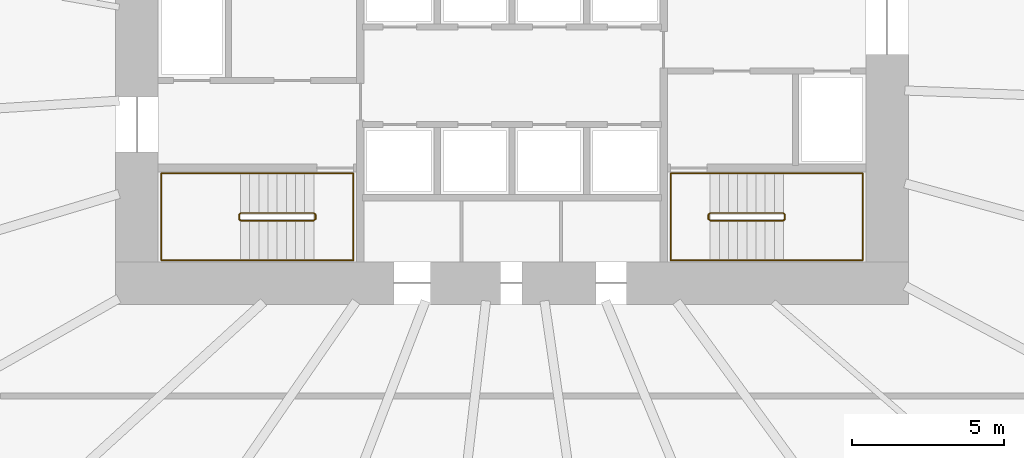
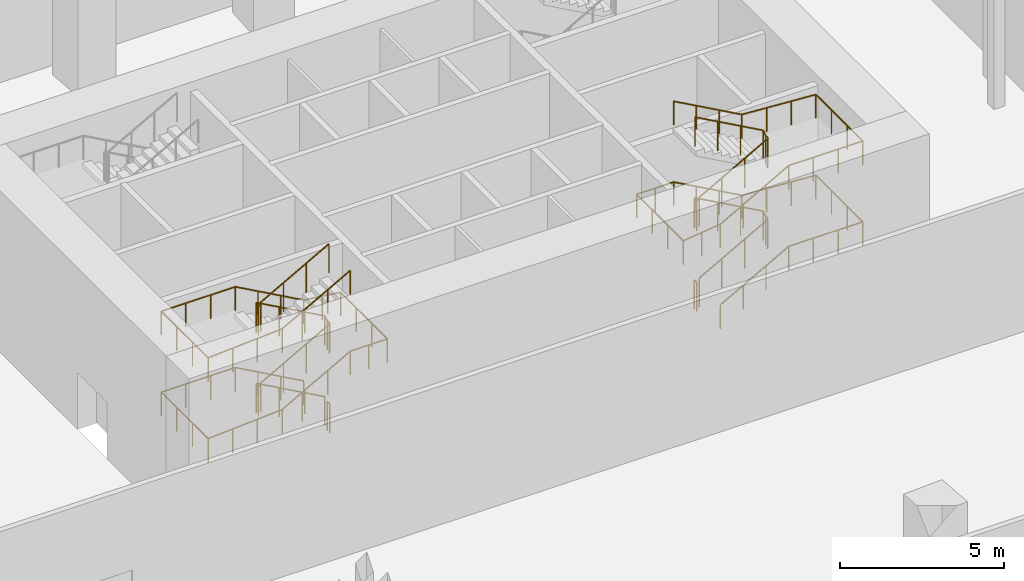
# One storey, part 14 of 19: 6 railings.
"""IFC4 building model written with IfcOpenShell, lengths in metres."""

from ifc_helpers import new_model, si_unit, direction, frame, origin, origin_2d, place, context, subcontext, project, spatial, circle, extrude, material, type_object, element, save


model = new_model("IFC4")

# Units and contexts
model_context = context("Model", 3, precision=1e-05, world=origin(), true_north=direction((0.0, 1.0)))
body_context = subcontext(model_context, "Body", "Model", "MODEL_VIEW")
ifc_project = project(units=[si_unit("LENGTHUNIT", "METRE"), si_unit("AREAUNIT", "SQUARE_METRE"), si_unit("VOLUMEUNIT", "CUBIC_METRE"), si_unit("PLANEANGLEUNIT", "RADIAN"), si_unit("MASSUNIT", "GRAM", prefix="KILO")], contexts=[model_context])

# Site, building, storey
site_placement = place(None, origin())
site = spatial("IfcSite", under=ifc_project, at=site_placement, CompositionType="ELEMENT")
building_placement = place(site_placement, origin())
building = spatial("IfcBuilding", under=site, at=building_placement, Name="Rubra Terraces Tower", CompositionType="ELEMENT")
storey_placement = place(building_placement, frame((0.0, 0.0, -6.0)))
storey = spatial("IfcBuildingStorey", under=building, at=storey_placement, Name="B1", CompositionType="ELEMENT", Elevation=-6.0)

# Railings
ifc_material = material(Name="Stainless steel", Category="steel")
railing_type_1 = type_object("IfcRailingType", Name="Core stair guard 1100", PredefinedType="GUARDRAIL", material=ifc_material)
railing_1_placement = place(storey_placement, frame((-6.5, 0.0, 0.166748046875)))
element("IfcRailing", 1, at=railing_1_placement, inside=storey, type_object=railing_type_1, Name="B1 stair S1 guard 1", PredefinedType="GUARDRAIL", context=body_context, shape_type="SweptSolid", body=[
    extrude(circle(Radius=0.02392578125, at=origin_2d()), frame((0.0, 0.0, 1.076171875), z_axis=(-0.874161470802, 0.0, 0.485635380677), x_axis=(0.0, -1.0, 0.0)), (0.0, 0.0, 1.0), 2.745361328125),
    extrude(circle(Radius=0.02392578125, at=origin_2d()), frame((-2.39990234375, 0.0, 2.4091796875), z_axis=(-0.707106781187, -0.707106781187, 0.0), x_axis=(0.707106781187, -0.707106781187, 0.0)), (0.0, 0.0, 1.0), 0.07080078125),
    extrude(circle(Radius=0.02392578125, at=origin_2d()), frame((-2.449951171875, -0.050048828125, 2.4091796875), z_axis=(0.0, -1.0, 0.0), x_axis=(1.0, 0.0, 0.0)), (0.0, 0.0, 1.0), 0.14990234375),
    extrude(circle(Radius=0.02392578125, at=origin_2d()), frame((-2.449951171875, -0.199951171875, 2.4091796875), z_axis=(0.27628659633, -0.27628659633, 0.920506074601), x_axis=(0.707106781187, 0.707106781187, 0.0)), (0.0, 0.0, 1.0), 0.18115234375),
    extrude(circle(Radius=0.02392578125, at=origin_2d()), frame((-2.39990234375, -0.25, 2.576171875), z_axis=(0.874161470802, 0.0, 0.485635380677), x_axis=(0.0, 1.0, 0.0)), (0.0, 0.0, 1.0), 2.745361328125),
    extrude(circle(Radius=0.02392578125, at=origin_2d()), frame((0.0, -0.25, 3.9091796875), z_axis=(0.707106781187, 0.707106781187, 0.0), x_axis=(-0.707106781187, 0.707106781187, 0.0)), (0.0, 0.0, 1.0), 0.07080078125),
    extrude(circle(Radius=0.02392578125, at=origin_2d()), frame((0.050048828125, -0.199951171875, 3.9091796875), z_axis=(0.0, 1.0, 0.0), x_axis=(-1.0, 0.0, 0.0)), (0.0, 0.0, 1.0), 0.14990234375),
    extrude(circle(Radius=0.02392578125, at=origin_2d()), frame((0.050048828125, -0.050048828125, 3.9091796875), z_axis=(-0.27628659633, 0.27628659633, 0.920506074601), x_axis=(-0.707106781187, -0.707106781187, 0.0)), (0.0, 0.0, 1.0), 0.18115234375),
    extrude(circle(Radius=0.02392578125, at=origin_2d()), frame((0.0, 0.0, 4.076171875), z_axis=(-0.874161470802, 0.0, 0.485635380677), x_axis=(0.0, -1.0, 0.0)), (0.0, 0.0, 1.0), 2.745361328125),
    extrude(circle(Radius=0.02392578125, at=origin_2d()), frame((-2.39990234375, 0.0, 5.4091796875), z_axis=(-0.707106781187, -0.707106781187, 0.0), x_axis=(0.707106781187, -0.707106781187, 0.0)), (0.0, 0.0, 1.0), 0.07080078125),
    extrude(circle(Radius=0.02392578125, at=origin_2d()), frame((-2.449951171875, -0.050048828125, 5.4091796875), z_axis=(0.0, -1.0, 0.0), x_axis=(1.0, 0.0, 0.0)), (0.0, 0.0, 1.0), 0.14990234375),
    extrude(circle(Radius=0.02392578125, at=origin_2d()), frame((-2.449951171875, -0.199951171875, 5.4091796875), z_axis=(0.27628659633, -0.27628659633, 0.920506074601), x_axis=(0.707106781187, 0.707106781187, 0.0)), (0.0, 0.0, 1.0), 0.18115234375),
    extrude(circle(Radius=0.02392578125, at=origin_2d()), frame((-2.39990234375, -0.25, 5.576171875), z_axis=(0.874161470802, 0.0, 0.485635380677), x_axis=(0.0, 1.0, 0.0)), (0.0, 0.0, 1.0), 2.745361328125),
    extrude(circle(Radius=0.02099609375, at=origin_2d()), origin(), (0.0, 0.0, 1.0), 1.052001953125),
    extrude(circle(Radius=0.02099609375, at=origin_2d()), frame((-0.800048828125, 0.0, 0.4443359375)), (0.0, 0.0, 1.0), 1.052001953125),
    extrude(circle(Radius=0.02099609375, at=origin_2d()), frame((-1.599853515625, 0.0, 0.888916015625)), (0.0, 0.0, 1.0), 1.052001953125),
    extrude(circle(Radius=0.02099609375, at=origin_2d()), frame((-2.39990234375, 0.0, 1.333251953125)), (0.0, 0.0, 1.0), 1.052001953125),
    extrude(circle(Radius=0.02099609375, at=origin_2d()), frame((-2.449951171875, -0.050048828125, 1.333251953125)), (0.0, 0.0, 1.0), 1.052001953125),
    extrude(circle(Radius=0.02099609375, at=origin_2d()), frame((-2.449951171875, -0.199951171875, 1.333251953125)), (0.0, 0.0, 1.0), 1.052001953125),
    extrude(circle(Radius=0.02099609375, at=origin_2d()), frame((-2.39990234375, -0.25, 1.5)), (0.0, 0.0, 1.0), 1.052001953125),
    extrude(circle(Radius=0.02099609375, at=origin_2d()), frame((-1.599853515625, -0.25, 1.9443359375)), (0.0, 0.0, 1.0), 1.052001953125),
    extrude(circle(Radius=0.02099609375, at=origin_2d()), frame((-0.800048828125, -0.25, 2.388916015625)), (0.0, 0.0, 1.0), 1.052001953125),
    extrude(circle(Radius=0.02099609375, at=origin_2d()), frame((0.0, -0.25, 2.833251953125)), (0.0, 0.0, 1.0), 1.052001953125),
    extrude(circle(Radius=0.02099609375, at=origin_2d()), frame((0.050048828125, -0.199951171875, 2.833251953125)), (0.0, 0.0, 1.0), 1.052001953125),
    extrude(circle(Radius=0.02099609375, at=origin_2d()), frame((0.050048828125, -0.050048828125, 2.833251953125)), (0.0, 0.0, 1.0), 1.052001953125),
    extrude(circle(Radius=0.02099609375, at=origin_2d()), frame((0.0, 0.0, 3.0)), (0.0, 0.0, 1.0), 1.052001953125),
    extrude(circle(Radius=0.02099609375, at=origin_2d()), frame((-0.800048828125, 0.0, 3.4443359375)), (0.0, 0.0, 1.0), 1.052001953125),
    extrude(circle(Radius=0.02099609375, at=origin_2d()), frame((-1.599853515625, 0.0, 3.888916015625)), (0.0, 0.0, 1.0), 1.052001953125),
    extrude(circle(Radius=0.02099609375, at=origin_2d()), frame((-2.39990234375, 0.0, 4.333251953125)), (0.0, 0.0, 1.0), 1.052001953125),
    extrude(circle(Radius=0.02099609375, at=origin_2d()), frame((-2.449951171875, -0.050048828125, 4.333251953125)), (0.0, 0.0, 1.0), 1.052001953125),
    extrude(circle(Radius=0.02099609375, at=origin_2d()), frame((-2.449951171875, -0.199951171875, 4.333251953125)), (0.0, 0.0, 1.0), 1.052001953125),
    extrude(circle(Radius=0.02099609375, at=origin_2d()), frame((-2.39990234375, -0.25, 4.5)), (0.0, 0.0, 1.0), 1.052001953125),
    extrude(circle(Radius=0.02099609375, at=origin_2d()), frame((-1.599853515625, -0.25, 4.9443359375)), (0.0, 0.0, 1.0), 1.052001953125),
    extrude(circle(Radius=0.02099609375, at=origin_2d()), frame((-0.800048828125, -0.25, 5.388916015625)), (0.0, 0.0, 1.0), 1.052001953125),
    extrude(circle(Radius=0.02099609375, at=origin_2d()), frame((0.0, -0.25, 5.833251953125)), (0.0, 0.0, 1.0), 1.052001953125),
])
railing_2_placement = place(storey_placement, frame((-6.449951171875, -0.050048828125, 0.0)))
element("IfcRailing", 2, at=railing_2_placement, inside=storey, type_object=railing_type_1, Name="B1 stair S1 guard 2", PredefinedType="GUARDRAIL", context=body_context, shape_type="SweptSolid", body=[
    extrude(circle(Radius=0.02392578125, at=origin_2d()), frame((0.0, 0.0, 1.076171875), z_axis=(0.0, -1.0, 0.0), x_axis=(1.0, 0.0, 0.0)), (0.0, 0.0, 1.0), 0.14990234375),
    extrude(circle(Radius=0.02099609375, at=origin_2d()), origin(), (0.0, 0.0, 1.0), 1.052001953125),
    extrude(circle(Radius=0.02099609375, at=origin_2d()), frame((0.0, -0.14990234375, 0.0)), (0.0, 0.0, 1.0), 1.052001953125),
])
railing_3_placement = place(storey_placement, frame((6.5, -0.25, 0.166748046875)))
element("IfcRailing", 3, at=railing_3_placement, inside=storey, type_object=railing_type_1, Name="B1 stair S4 guard 1", PredefinedType="GUARDRAIL", context=body_context, shape_type="SweptSolid", body=[
    extrude(circle(Radius=0.02392578125, at=origin_2d()), frame((0.0, 0.0, 1.076171875), z_axis=(0.874161470802, 0.0, 0.485635380677), x_axis=(0.0, 1.0, 0.0)), (0.0, 0.0, 1.0), 2.745361328125),
    extrude(circle(Radius=0.02392578125, at=origin_2d()), frame((2.39990234375, 0.0, 2.4091796875), z_axis=(0.707106781187, 0.707106781187, 0.0), x_axis=(-0.707106781187, 0.707106781187, 0.0)), (0.0, 0.0, 1.0), 0.07080078125),
    extrude(circle(Radius=0.02392578125, at=origin_2d()), frame((2.449951171875, 0.050048828125, 2.4091796875), z_axis=(0.0, 1.0, 0.0), x_axis=(-1.0, 0.0, 0.0)), (0.0, 0.0, 1.0), 0.14990234375),
    extrude(circle(Radius=0.02392578125, at=origin_2d()), frame((2.449951171875, 0.199951171875, 2.4091796875), z_axis=(-0.27628659633, 0.27628659633, 0.920506074601), x_axis=(-0.707106781187, -0.707106781187, 0.0)), (0.0, 0.0, 1.0), 0.18115234375),
    extrude(circle(Radius=0.02392578125, at=origin_2d()), frame((2.39990234375, 0.25, 2.576171875), z_axis=(-0.874161470802, 0.0, 0.485635380677), x_axis=(0.0, -1.0, 0.0)), (0.0, 0.0, 1.0), 2.745361328125),
    extrude(circle(Radius=0.02392578125, at=origin_2d()), frame((0.0, 0.25, 3.9091796875), z_axis=(-0.707106781187, -0.707106781187, 0.0), x_axis=(0.707106781187, -0.707106781187, 0.0)), (0.0, 0.0, 1.0), 0.07080078125),
    extrude(circle(Radius=0.02392578125, at=origin_2d()), frame((-0.050048828125, 0.199951171875, 3.9091796875), z_axis=(0.0, -1.0, 0.0), x_axis=(1.0, 0.0, 0.0)), (0.0, 0.0, 1.0), 0.14990234375),
    extrude(circle(Radius=0.02392578125, at=origin_2d()), frame((-0.050048828125, 0.050048828125, 3.9091796875), z_axis=(0.27628659633, -0.27628659633, 0.920506074601), x_axis=(0.707106781187, 0.707106781187, 0.0)), (0.0, 0.0, 1.0), 0.18115234375),
    extrude(circle(Radius=0.02392578125, at=origin_2d()), frame((0.0, 0.0, 4.076171875), z_axis=(0.874161470802, 0.0, 0.485635380677), x_axis=(0.0, 1.0, 0.0)), (0.0, 0.0, 1.0), 2.745361328125),
    extrude(circle(Radius=0.02392578125, at=origin_2d()), frame((2.39990234375, 0.0, 5.4091796875), z_axis=(0.707106781187, 0.707106781187, 0.0), x_axis=(-0.707106781187, 0.707106781187, 0.0)), (0.0, 0.0, 1.0), 0.07080078125),
    extrude(circle(Radius=0.02392578125, at=origin_2d()), frame((2.449951171875, 0.050048828125, 5.4091796875), z_axis=(0.0, 1.0, 0.0), x_axis=(-1.0, 0.0, 0.0)), (0.0, 0.0, 1.0), 0.14990234375),
    extrude(circle(Radius=0.02392578125, at=origin_2d()), frame((2.449951171875, 0.199951171875, 5.4091796875), z_axis=(-0.27628659633, 0.27628659633, 0.920506074601), x_axis=(-0.707106781187, -0.707106781187, 0.0)), (0.0, 0.0, 1.0), 0.18115234375),
    extrude(circle(Radius=0.02392578125, at=origin_2d()), frame((2.39990234375, 0.25, 5.576171875), z_axis=(-0.874161470802, 0.0, 0.485635380677), x_axis=(0.0, -1.0, 0.0)), (0.0, 0.0, 1.0), 2.745361328125),
    extrude(circle(Radius=0.02099609375, at=origin_2d()), origin(), (0.0, 0.0, 1.0), 1.052001953125),
    extrude(circle(Radius=0.02099609375, at=origin_2d()), frame((0.800048828125, 0.0, 0.4443359375)), (0.0, 0.0, 1.0), 1.052001953125),
    extrude(circle(Radius=0.02099609375, at=origin_2d()), frame((1.599853515625, 0.0, 0.888916015625)), (0.0, 0.0, 1.0), 1.052001953125),
    extrude(circle(Radius=0.02099609375, at=origin_2d()), frame((2.39990234375, 0.0, 1.333251953125)), (0.0, 0.0, 1.0), 1.052001953125),
    extrude(circle(Radius=0.02099609375, at=origin_2d()), frame((2.449951171875, 0.050048828125, 1.333251953125)), (0.0, 0.0, 1.0), 1.052001953125),
    extrude(circle(Radius=0.02099609375, at=origin_2d()), frame((2.449951171875, 0.199951171875, 1.333251953125)), (0.0, 0.0, 1.0), 1.052001953125),
    extrude(circle(Radius=0.02099609375, at=origin_2d()), frame((2.39990234375, 0.25, 1.5)), (0.0, 0.0, 1.0), 1.052001953125),
    extrude(circle(Radius=0.02099609375, at=origin_2d()), frame((1.599853515625, 0.25, 1.9443359375)), (0.0, 0.0, 1.0), 1.052001953125),
    extrude(circle(Radius=0.02099609375, at=origin_2d()), frame((0.800048828125, 0.25, 2.388916015625)), (0.0, 0.0, 1.0), 1.052001953125),
    extrude(circle(Radius=0.02099609375, at=origin_2d()), frame((0.0, 0.25, 2.833251953125)), (0.0, 0.0, 1.0), 1.052001953125),
    extrude(circle(Radius=0.02099609375, at=origin_2d()), frame((-0.050048828125, 0.199951171875, 2.833251953125)), (0.0, 0.0, 1.0), 1.052001953125),
    extrude(circle(Radius=0.02099609375, at=origin_2d()), frame((-0.050048828125, 0.050048828125, 2.833251953125)), (0.0, 0.0, 1.0), 1.052001953125),
    extrude(circle(Radius=0.02099609375, at=origin_2d()), frame((0.0, 0.0, 3.0)), (0.0, 0.0, 1.0), 1.052001953125),
    extrude(circle(Radius=0.02099609375, at=origin_2d()), frame((0.800048828125, 0.0, 3.4443359375)), (0.0, 0.0, 1.0), 1.052001953125),
    extrude(circle(Radius=0.02099609375, at=origin_2d()), frame((1.599853515625, 0.0, 3.888916015625)), (0.0, 0.0, 1.0), 1.052001953125),
    extrude(circle(Radius=0.02099609375, at=origin_2d()), frame((2.39990234375, 0.0, 4.333251953125)), (0.0, 0.0, 1.0), 1.052001953125),
    extrude(circle(Radius=0.02099609375, at=origin_2d()), frame((2.449951171875, 0.050048828125, 4.333251953125)), (0.0, 0.0, 1.0), 1.052001953125),
    extrude(circle(Radius=0.02099609375, at=origin_2d()), frame((2.449951171875, 0.199951171875, 4.333251953125)), (0.0, 0.0, 1.0), 1.052001953125),
    extrude(circle(Radius=0.02099609375, at=origin_2d()), frame((2.39990234375, 0.25, 4.5)), (0.0, 0.0, 1.0), 1.052001953125),
    extrude(circle(Radius=0.02099609375, at=origin_2d()), frame((1.599853515625, 0.25, 4.9443359375)), (0.0, 0.0, 1.0), 1.052001953125),
    extrude(circle(Radius=0.02099609375, at=origin_2d()), frame((0.800048828125, 0.25, 5.388916015625)), (0.0, 0.0, 1.0), 1.052001953125),
    extrude(circle(Radius=0.02099609375, at=origin_2d()), frame((0.0, 0.25, 5.833251953125)), (0.0, 0.0, 1.0), 1.052001953125),
])
railing_4_placement = place(storey_placement, frame((6.449951171875, -0.199951171875, 0.0)))
element("IfcRailing", 4, at=railing_4_placement, inside=storey, type_object=railing_type_1, Name="B1 stair S4 guard 2", PredefinedType="GUARDRAIL", context=body_context, shape_type="SweptSolid", body=[
    extrude(circle(Radius=0.02392578125, at=origin_2d()), frame((0.0, 0.0, 1.076171875), z_axis=(0.0, 1.0, 0.0), x_axis=(-1.0, 0.0, 0.0)), (0.0, 0.0, 1.0), 0.14990234375),
    extrude(circle(Radius=0.02099609375, at=origin_2d()), origin(), (0.0, 0.0, 1.0), 1.052001953125),
    extrude(circle(Radius=0.02099609375, at=origin_2d()), frame((0.0, 0.14990234375, 0.0)), (0.0, 0.0, 1.0), 1.052001953125),
])
railing_type_2 = type_object("IfcRailingType", Name="Core stair handrail 900", PredefinedType="HANDRAIL", material=ifc_material)
railing_5_placement = place(storey_placement, frame((-6.5, 1.300048828125, 0.166748046875)))
element("IfcRailing", 5, at=railing_5_placement, inside=storey, type_object=railing_type_2, Name="B1 stair S1 handrail 1", PredefinedType="HANDRAIL", context=body_context, shape_type="SweptSolid", body=[
    extrude(circle(Radius=0.02392578125, at=origin_2d()), frame((0.0, 0.0, 0.8759765625), z_axis=(-0.874161470802, 0.0, 0.485635380677), x_axis=(0.0, -1.0, 0.0)), (0.0, 0.0, 1.0), 2.745361328125),
    extrude(circle(Radius=0.02392578125, at=origin_2d()), frame((-2.39990234375, 0.0, 2.208984375), z_axis=(-1.0, 0.0, 0.0), x_axis=(0.0, -1.0, 0.0)), (0.0, 0.0, 1.0), 2.60009765625),
    extrude(circle(Radius=0.02392578125, at=origin_2d()), frame((-5.0, 0.0, 2.208984375), z_axis=(0.0, -1.0, 0.0), x_axis=(1.0, 0.0, 0.0)), (0.0, 0.0, 1.0), 2.85009765625),
    extrude(circle(Radius=0.02392578125, at=origin_2d()), frame((-5.0, -2.85009765625, 2.208984375), z_axis=(0.997949899857, 0.0, 0.063999979493), x_axis=(0.0, 1.0, 0.0)), (0.0, 0.0, 1.0), 2.60546875),
    extrude(circle(Radius=0.02392578125, at=origin_2d()), frame((-2.39990234375, -2.85009765625, 2.3759765625), z_axis=(0.874161470802, 0.0, 0.485635380677), x_axis=(0.0, 1.0, 0.0)), (0.0, 0.0, 1.0), 2.745361328125),
    extrude(circle(Radius=0.02392578125, at=origin_2d()), frame((0.0, -2.85009765625, 3.708984375), z_axis=(1.0, 0.0, 0.0), x_axis=(0.0, 1.0, 0.0)), (0.0, 0.0, 1.0), 1.300048828125),
    extrude(circle(Radius=0.02392578125, at=origin_2d()), frame((1.300048828125, -2.85009765625, 3.708984375), z_axis=(0.0, 1.0, 0.0), x_axis=(-1.0, 0.0, 0.0)), (0.0, 0.0, 1.0), 2.85009765625),
    extrude(circle(Radius=0.02392578125, at=origin_2d()), frame((1.300048828125, 0.0, 3.708984375), z_axis=(-0.991874434073, 0.0, 0.12722070206), x_axis=(0.0, -1.0, 0.0)), (0.0, 0.0, 1.0), 1.310791015625),
    extrude(circle(Radius=0.02392578125, at=origin_2d()), frame((0.0, 0.0, 3.8759765625), z_axis=(-0.874161470802, 0.0, 0.485635380677), x_axis=(0.0, -1.0, 0.0)), (0.0, 0.0, 1.0), 2.745361328125),
    extrude(circle(Radius=0.02392578125, at=origin_2d()), frame((-2.39990234375, 0.0, 5.208984375), z_axis=(-1.0, 0.0, 0.0), x_axis=(0.0, -1.0, 0.0)), (0.0, 0.0, 1.0), 2.60009765625),
    extrude(circle(Radius=0.02392578125, at=origin_2d()), frame((-5.0, 0.0, 5.208984375), z_axis=(0.0, -1.0, 0.0), x_axis=(1.0, 0.0, 0.0)), (0.0, 0.0, 1.0), 2.85009765625),
    extrude(circle(Radius=0.02392578125, at=origin_2d()), frame((-5.0, -2.85009765625, 5.208984375), z_axis=(0.997949899857, 0.0, 0.063999979493), x_axis=(0.0, 1.0, 0.0)), (0.0, 0.0, 1.0), 2.60546875),
    extrude(circle(Radius=0.02392578125, at=origin_2d()), frame((-2.39990234375, -2.85009765625, 5.3759765625), z_axis=(0.874161470802, 0.0, 0.485635380677), x_axis=(0.0, 1.0, 0.0)), (0.0, 0.0, 1.0), 2.745361328125),
    extrude(circle(Radius=0.02099609375, at=origin_2d()), origin(), (0.0, 0.0, 1.0), 0.851806640625),
    extrude(circle(Radius=0.02099609375, at=origin_2d()), frame((-0.800048828125, 0.0, 0.4443359375)), (0.0, 0.0, 1.0), 0.851806640625),
    extrude(circle(Radius=0.02099609375, at=origin_2d()), frame((-1.599853515625, 0.0, 0.888916015625)), (0.0, 0.0, 1.0), 0.851806640625),
    extrude(circle(Radius=0.02099609375, at=origin_2d()), frame((-2.39990234375, 0.0, 1.333251953125)), (0.0, 0.0, 1.0), 0.851806640625),
    extrude(circle(Radius=0.02099609375, at=origin_2d()), frame((-3.2666015625, 0.0, 1.333251953125)), (0.0, 0.0, 1.0), 0.851806640625),
    extrude(circle(Radius=0.02099609375, at=origin_2d()), frame((-4.13330078125, 0.0, 1.333251953125)), (0.0, 0.0, 1.0), 0.851806640625),
    extrude(circle(Radius=0.02099609375, at=origin_2d()), frame((-5.0, 0.0, 1.333251953125)), (0.0, 0.0, 1.0), 0.851806640625),
    extrude(circle(Radius=0.02099609375, at=origin_2d()), frame((-5.0, -0.949951171875, 1.333251953125)), (0.0, 0.0, 1.0), 0.851806640625),
    extrude(circle(Radius=0.02099609375, at=origin_2d()), frame((-5.0, -1.900146484375, 1.333251953125)), (0.0, 0.0, 1.0), 0.851806640625),
    extrude(circle(Radius=0.02099609375, at=origin_2d()), frame((-5.0, -2.85009765625, 1.333251953125)), (0.0, 0.0, 1.0), 0.851806640625),
    extrude(circle(Radius=0.02099609375, at=origin_2d()), frame((-4.13330078125, -2.85009765625, 1.388916015625)), (0.0, 0.0, 1.0), 0.851806640625),
    extrude(circle(Radius=0.02099609375, at=origin_2d()), frame((-3.2666015625, -2.85009765625, 1.4443359375)), (0.0, 0.0, 1.0), 0.851806640625),
    extrude(circle(Radius=0.02099609375, at=origin_2d()), frame((-2.39990234375, -2.85009765625, 1.5)), (0.0, 0.0, 1.0), 0.851806640625),
    extrude(circle(Radius=0.02099609375, at=origin_2d()), frame((-1.599853515625, -2.85009765625, 1.9443359375)), (0.0, 0.0, 1.0), 0.851806640625),
    extrude(circle(Radius=0.02099609375, at=origin_2d()), frame((-0.800048828125, -2.85009765625, 2.388916015625)), (0.0, 0.0, 1.0), 0.851806640625),
    extrude(circle(Radius=0.02099609375, at=origin_2d()), frame((0.0, -2.85009765625, 2.833251953125)), (0.0, 0.0, 1.0), 0.851806640625),
    extrude(circle(Radius=0.02099609375, at=origin_2d()), frame((0.64990234375, -2.85009765625, 2.833251953125)), (0.0, 0.0, 1.0), 0.851806640625),
    extrude(circle(Radius=0.02099609375, at=origin_2d()), frame((1.300048828125, -2.85009765625, 2.833251953125)), (0.0, 0.0, 1.0), 0.851806640625),
    extrude(circle(Radius=0.02099609375, at=origin_2d()), frame((1.300048828125, -1.900146484375, 2.833251953125)), (0.0, 0.0, 1.0), 0.851806640625),
    extrude(circle(Radius=0.02099609375, at=origin_2d()), frame((1.300048828125, -0.949951171875, 2.833251953125)), (0.0, 0.0, 1.0), 0.851806640625),
    extrude(circle(Radius=0.02099609375, at=origin_2d()), frame((1.300048828125, 0.0, 2.833251953125)), (0.0, 0.0, 1.0), 0.851806640625),
    extrude(circle(Radius=0.02099609375, at=origin_2d()), frame((0.64990234375, 0.0, 2.91650390625)), (0.0, 0.0, 1.0), 0.851806640625),
    extrude(circle(Radius=0.02099609375, at=origin_2d()), frame((0.0, 0.0, 3.0)), (0.0, 0.0, 1.0), 0.851806640625),
    extrude(circle(Radius=0.02099609375, at=origin_2d()), frame((-0.800048828125, 0.0, 3.4443359375)), (0.0, 0.0, 1.0), 0.851806640625),
    extrude(circle(Radius=0.02099609375, at=origin_2d()), frame((-1.599853515625, 0.0, 3.888916015625)), (0.0, 0.0, 1.0), 0.851806640625),
    extrude(circle(Radius=0.02099609375, at=origin_2d()), frame((-2.39990234375, 0.0, 4.333251953125)), (0.0, 0.0, 1.0), 0.851806640625),
    extrude(circle(Radius=0.02099609375, at=origin_2d()), frame((-3.2666015625, 0.0, 4.333251953125)), (0.0, 0.0, 1.0), 0.851806640625),
    extrude(circle(Radius=0.02099609375, at=origin_2d()), frame((-4.13330078125, 0.0, 4.333251953125)), (0.0, 0.0, 1.0), 0.851806640625),
    extrude(circle(Radius=0.02099609375, at=origin_2d()), frame((-5.0, 0.0, 4.333251953125)), (0.0, 0.0, 1.0), 0.851806640625),
    extrude(circle(Radius=0.02099609375, at=origin_2d()), frame((-5.0, -0.949951171875, 4.333251953125)), (0.0, 0.0, 1.0), 0.851806640625),
    extrude(circle(Radius=0.02099609375, at=origin_2d()), frame((-5.0, -1.900146484375, 4.333251953125)), (0.0, 0.0, 1.0), 0.851806640625),
    extrude(circle(Radius=0.02099609375, at=origin_2d()), frame((-5.0, -2.85009765625, 4.333251953125)), (0.0, 0.0, 1.0), 0.851806640625),
    extrude(circle(Radius=0.02099609375, at=origin_2d()), frame((-4.13330078125, -2.85009765625, 4.388916015625)), (0.0, 0.0, 1.0), 0.851806640625),
    extrude(circle(Radius=0.02099609375, at=origin_2d()), frame((-3.2666015625, -2.85009765625, 4.4443359375)), (0.0, 0.0, 1.0), 0.851806640625),
    extrude(circle(Radius=0.02099609375, at=origin_2d()), frame((-2.39990234375, -2.85009765625, 4.5)), (0.0, 0.0, 1.0), 0.851806640625),
    extrude(circle(Radius=0.02099609375, at=origin_2d()), frame((-1.599853515625, -2.85009765625, 4.9443359375)), (0.0, 0.0, 1.0), 0.851806640625),
    extrude(circle(Radius=0.02099609375, at=origin_2d()), frame((-0.800048828125, -2.85009765625, 5.388916015625)), (0.0, 0.0, 1.0), 0.851806640625),
    extrude(circle(Radius=0.02099609375, at=origin_2d()), frame((0.0, -2.85009765625, 5.833251953125)), (0.0, 0.0, 1.0), 0.851806640625),
])
railing_6_placement = place(storey_placement, frame((6.5, -1.550048828125, 0.166748046875)))
element("IfcRailing", 6, at=railing_6_placement, inside=storey, type_object=railing_type_2, Name="B1 stair S4 handrail 1", PredefinedType="HANDRAIL", context=body_context, shape_type="SweptSolid", body=[
    extrude(circle(Radius=0.02392578125, at=origin_2d()), frame((0.0, 0.0, 0.8759765625), z_axis=(0.874161470802, 0.0, 0.485635380677), x_axis=(0.0, 1.0, 0.0)), (0.0, 0.0, 1.0), 2.745361328125),
    extrude(circle(Radius=0.02392578125, at=origin_2d()), frame((2.39990234375, 0.0, 2.208984375), z_axis=(1.0, 0.0, 0.0), x_axis=(0.0, 1.0, 0.0)), (0.0, 0.0, 1.0), 2.60009765625),
    extrude(circle(Radius=0.02392578125, at=origin_2d()), frame((5.0, 0.0, 2.208984375), z_axis=(0.0, 1.0, 0.0), x_axis=(-1.0, 0.0, 0.0)), (0.0, 0.0, 1.0), 2.85009765625),
    extrude(circle(Radius=0.02392578125, at=origin_2d()), frame((5.0, 2.85009765625, 2.208984375), z_axis=(-0.997949899857, 0.0, 0.063999979493), x_axis=(0.0, -1.0, 0.0)), (0.0, 0.0, 1.0), 2.60546875),
    extrude(circle(Radius=0.02392578125, at=origin_2d()), frame((2.39990234375, 2.85009765625, 2.3759765625), z_axis=(-0.874161470802, 0.0, 0.485635380677), x_axis=(0.0, -1.0, 0.0)), (0.0, 0.0, 1.0), 2.745361328125),
    extrude(circle(Radius=0.02392578125, at=origin_2d()), frame((0.0, 2.85009765625, 3.708984375), z_axis=(-1.0, 0.0, 0.0), x_axis=(0.0, -1.0, 0.0)), (0.0, 0.0, 1.0), 1.300048828125),
    extrude(circle(Radius=0.02392578125, at=origin_2d()), frame((-1.300048828125, 2.85009765625, 3.708984375), z_axis=(0.0, -1.0, 0.0), x_axis=(1.0, 0.0, 0.0)), (0.0, 0.0, 1.0), 2.85009765625),
    extrude(circle(Radius=0.02392578125, at=origin_2d()), frame((-1.300048828125, 0.0, 3.708984375), z_axis=(0.991874434073, 0.0, 0.12722070206), x_axis=(0.0, 1.0, 0.0)), (0.0, 0.0, 1.0), 1.310791015625),
    extrude(circle(Radius=0.02392578125, at=origin_2d()), frame((0.0, 0.0, 3.8759765625), z_axis=(0.874161470802, 0.0, 0.485635380677), x_axis=(0.0, 1.0, 0.0)), (0.0, 0.0, 1.0), 2.745361328125),
    extrude(circle(Radius=0.02392578125, at=origin_2d()), frame((2.39990234375, 0.0, 5.208984375), z_axis=(1.0, 0.0, 0.0), x_axis=(0.0, 1.0, 0.0)), (0.0, 0.0, 1.0), 2.60009765625),
    extrude(circle(Radius=0.02392578125, at=origin_2d()), frame((5.0, 0.0, 5.208984375), z_axis=(0.0, 1.0, 0.0), x_axis=(-1.0, 0.0, 0.0)), (0.0, 0.0, 1.0), 2.85009765625),
    extrude(circle(Radius=0.02392578125, at=origin_2d()), frame((5.0, 2.85009765625, 5.208984375), z_axis=(-0.997949899857, 0.0, 0.063999979493), x_axis=(0.0, -1.0, 0.0)), (0.0, 0.0, 1.0), 2.60546875),
    extrude(circle(Radius=0.02392578125, at=origin_2d()), frame((2.39990234375, 2.85009765625, 5.3759765625), z_axis=(-0.874161470802, 0.0, 0.485635380677), x_axis=(0.0, -1.0, 0.0)), (0.0, 0.0, 1.0), 2.745361328125),
    extrude(circle(Radius=0.02099609375, at=origin_2d()), origin(), (0.0, 0.0, 1.0), 0.851806640625),
    extrude(circle(Radius=0.02099609375, at=origin_2d()), frame((0.800048828125, 0.0, 0.4443359375)), (0.0, 0.0, 1.0), 0.851806640625),
    extrude(circle(Radius=0.02099609375, at=origin_2d()), frame((1.599853515625, 0.0, 0.888916015625)), (0.0, 0.0, 1.0), 0.851806640625),
    extrude(circle(Radius=0.02099609375, at=origin_2d()), frame((2.39990234375, 0.0, 1.333251953125)), (0.0, 0.0, 1.0), 0.851806640625),
    extrude(circle(Radius=0.02099609375, at=origin_2d()), frame((3.2666015625, 0.0, 1.333251953125)), (0.0, 0.0, 1.0), 0.851806640625),
    extrude(circle(Radius=0.02099609375, at=origin_2d()), frame((4.13330078125, 0.0, 1.333251953125)), (0.0, 0.0, 1.0), 0.851806640625),
    extrude(circle(Radius=0.02099609375, at=origin_2d()), frame((5.0, 0.0, 1.333251953125)), (0.0, 0.0, 1.0), 0.851806640625),
    extrude(circle(Radius=0.02099609375, at=origin_2d()), frame((5.0, 0.949951171875, 1.333251953125)), (0.0, 0.0, 1.0), 0.851806640625),
    extrude(circle(Radius=0.02099609375, at=origin_2d()), frame((5.0, 1.900146484375, 1.333251953125)), (0.0, 0.0, 1.0), 0.851806640625),
    extrude(circle(Radius=0.02099609375, at=origin_2d()), frame((5.0, 2.85009765625, 1.333251953125)), (0.0, 0.0, 1.0), 0.851806640625),
    extrude(circle(Radius=0.02099609375, at=origin_2d()), frame((4.13330078125, 2.85009765625, 1.388916015625)), (0.0, 0.0, 1.0), 0.851806640625),
    extrude(circle(Radius=0.02099609375, at=origin_2d()), frame((3.2666015625, 2.85009765625, 1.4443359375)), (0.0, 0.0, 1.0), 0.851806640625),
    extrude(circle(Radius=0.02099609375, at=origin_2d()), frame((2.39990234375, 2.85009765625, 1.5)), (0.0, 0.0, 1.0), 0.851806640625),
    extrude(circle(Radius=0.02099609375, at=origin_2d()), frame((1.599853515625, 2.85009765625, 1.9443359375)), (0.0, 0.0, 1.0), 0.851806640625),
    extrude(circle(Radius=0.02099609375, at=origin_2d()), frame((0.800048828125, 2.85009765625, 2.388916015625)), (0.0, 0.0, 1.0), 0.851806640625),
    extrude(circle(Radius=0.02099609375, at=origin_2d()), frame((0.0, 2.85009765625, 2.833251953125)), (0.0, 0.0, 1.0), 0.851806640625),
    extrude(circle(Radius=0.02099609375, at=origin_2d()), frame((-0.64990234375, 2.85009765625, 2.833251953125)), (0.0, 0.0, 1.0), 0.851806640625),
    extrude(circle(Radius=0.02099609375, at=origin_2d()), frame((-1.300048828125, 2.85009765625, 2.833251953125)), (0.0, 0.0, 1.0), 0.851806640625),
    extrude(circle(Radius=0.02099609375, at=origin_2d()), frame((-1.300048828125, 1.900146484375, 2.833251953125)), (0.0, 0.0, 1.0), 0.851806640625),
    extrude(circle(Radius=0.02099609375, at=origin_2d()), frame((-1.300048828125, 0.949951171875, 2.833251953125)), (0.0, 0.0, 1.0), 0.851806640625),
    extrude(circle(Radius=0.02099609375, at=origin_2d()), frame((-1.300048828125, 0.0, 2.833251953125)), (0.0, 0.0, 1.0), 0.851806640625),
    extrude(circle(Radius=0.02099609375, at=origin_2d()), frame((-0.64990234375, 0.0, 2.91650390625)), (0.0, 0.0, 1.0), 0.851806640625),
    extrude(circle(Radius=0.02099609375, at=origin_2d()), frame((0.0, 0.0, 3.0)), (0.0, 0.0, 1.0), 0.851806640625),
    extrude(circle(Radius=0.02099609375, at=origin_2d()), frame((0.800048828125, 0.0, 3.4443359375)), (0.0, 0.0, 1.0), 0.851806640625),
    extrude(circle(Radius=0.02099609375, at=origin_2d()), frame((1.599853515625, 0.0, 3.888916015625)), (0.0, 0.0, 1.0), 0.851806640625),
    extrude(circle(Radius=0.02099609375, at=origin_2d()), frame((2.39990234375, 0.0, 4.333251953125)), (0.0, 0.0, 1.0), 0.851806640625),
    extrude(circle(Radius=0.02099609375, at=origin_2d()), frame((3.2666015625, 0.0, 4.333251953125)), (0.0, 0.0, 1.0), 0.851806640625),
    extrude(circle(Radius=0.02099609375, at=origin_2d()), frame((4.13330078125, 0.0, 4.333251953125)), (0.0, 0.0, 1.0), 0.851806640625),
    extrude(circle(Radius=0.02099609375, at=origin_2d()), frame((5.0, 0.0, 4.333251953125)), (0.0, 0.0, 1.0), 0.851806640625),
    extrude(circle(Radius=0.02099609375, at=origin_2d()), frame((5.0, 0.949951171875, 4.333251953125)), (0.0, 0.0, 1.0), 0.851806640625),
    extrude(circle(Radius=0.02099609375, at=origin_2d()), frame((5.0, 1.900146484375, 4.333251953125)), (0.0, 0.0, 1.0), 0.851806640625),
    extrude(circle(Radius=0.02099609375, at=origin_2d()), frame((5.0, 2.85009765625, 4.333251953125)), (0.0, 0.0, 1.0), 0.851806640625),
    extrude(circle(Radius=0.02099609375, at=origin_2d()), frame((4.13330078125, 2.85009765625, 4.388916015625)), (0.0, 0.0, 1.0), 0.851806640625),
    extrude(circle(Radius=0.02099609375, at=origin_2d()), frame((3.2666015625, 2.85009765625, 4.4443359375)), (0.0, 0.0, 1.0), 0.851806640625),
    extrude(circle(Radius=0.02099609375, at=origin_2d()), frame((2.39990234375, 2.85009765625, 4.5)), (0.0, 0.0, 1.0), 0.851806640625),
    extrude(circle(Radius=0.02099609375, at=origin_2d()), frame((1.599853515625, 2.85009765625, 4.9443359375)), (0.0, 0.0, 1.0), 0.851806640625),
    extrude(circle(Radius=0.02099609375, at=origin_2d()), frame((0.800048828125, 2.85009765625, 5.388916015625)), (0.0, 0.0, 1.0), 0.851806640625),
    extrude(circle(Radius=0.02099609375, at=origin_2d()), frame((0.0, 2.85009765625, 5.833251953125)), (0.0, 0.0, 1.0), 0.851806640625),
])

save(model, "model.ifc")
